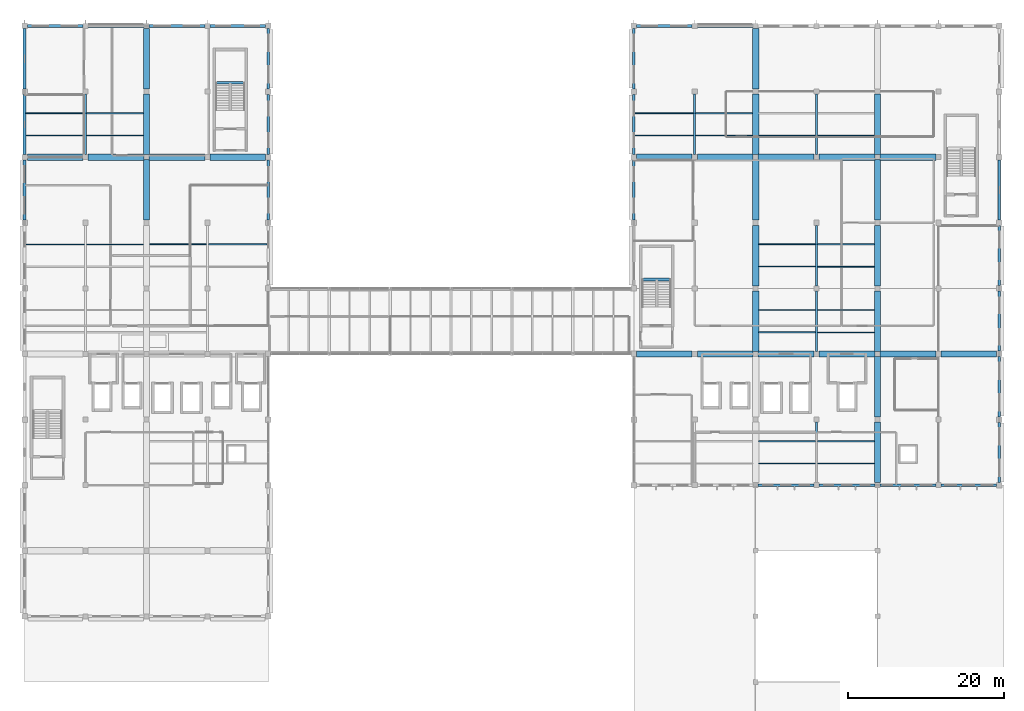
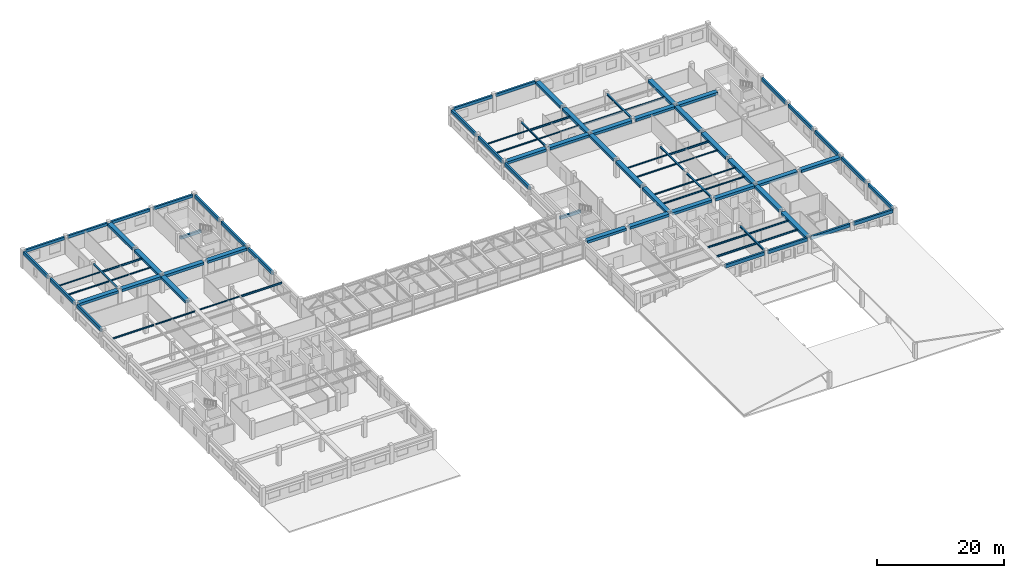
# One storey, part 27 of 49: 87 beams.
"""IFC4 building model written with IfcOpenShell, lengths in metres."""

from ifc_helpers import new_model, si_unit, direction, frame, origin, origin_2d, place, context, subcontext, project, spatial, rectangle, i_section, extrude, material, material_profile, profile_set, type_object, element, save


model = new_model("IFC4")

# Units and contexts
model_context = context("Model", 3, precision=1e-05, world=origin(), true_north=direction((0.0, 1.0)))
body_context = subcontext(model_context, "Body", "Model", "MODEL_VIEW")
ifc_project = project(units=[si_unit("LENGTHUNIT", "METRE"), si_unit("AREAUNIT", "SQUARE_METRE"), si_unit("VOLUMEUNIT", "CUBIC_METRE"), si_unit("PLANEANGLEUNIT", "RADIAN"), si_unit("MASSUNIT", "GRAM", prefix="KILO"), si_unit("THERMODYNAMICTEMPERATUREUNIT", "KELVIN"), si_unit("POWERUNIT", "WATT")], contexts=[model_context])

# Site, building, storey
site_placement = place(None, origin())
site = spatial("IfcSite", under=ifc_project, at=site_placement, CompositionType="ELEMENT")
building_placement = place(site_placement, origin())
building = spatial("IfcBuilding", under=site, at=building_placement, Name="Srebrne Nadtorze General Hospital", CompositionType="ELEMENT")
storey_placement = place(building_placement, frame((0.0, 0.0, 26.10009765625)))
storey = spatial("IfcBuildingStorey", under=building, at=storey_placement, Name="L06", CompositionType="ELEMENT", Elevation=26.10009765625)

# Beams
ifc_material_1 = material(Name="Steel S355J2", Category="steel")
ifc_material_profile_1 = material_profile(ifc_material_1, i_section(OverallWidth=0.159912109375, OverallDepth=0.330078125, WebThickness=0.007568359375, FlangeThickness=0.011474609375, FilletRadius=0.01806640625, at=origin_2d()), Name="IPE-330")
ifc_profile_set_1 = profile_set([ifc_material_profile_1], Name="Steel S355J2")
beam_type_1 = type_object("IfcBeamType", Name="Deck joist IPE 330", PredefinedType="JOIST", material=ifc_profile_set_1)
for number, where, z_axis, x_axis, name in (
    (1, (117.39501953125, 39.22802734375, 3.135009765625), (1.0, 0.0, 0.0), (0.0, 1.0, 0.0), "Interstitial deck joist SJ-L06-0137"),
    (2, (124.93505859375, 36.3720703125, 3.135009765625), (1.0, 0.0, 0.0), (0.0, 1.0, 0.0), "Interstitial deck joist SJ-L06-0144"),
    (3, (124.93505859375, 78.3720703125, 3.135009765625), (1.0, 0.0, 0.0), (0.0, 1.0, 0.0), "Interstitial deck joist SJ-L06-0150"),
):
    element("IfcBeam", number, at=place(storey_placement, frame(where, z_axis=z_axis, x_axis=x_axis)), inside=storey, type_object=beam_type_1, Name=name, PredefinedType="JOIST", context=body_context, shape_type="SweptSolid", body=[
        extrude(i_section(OverallWidth=0.159912109375, OverallDepth=0.330078125, WebThickness=0.007568359375, FlangeThickness=0.011474609375, FilletRadius=0.01806640625, at=origin_2d()), origin(), (0.0, 0.0, 1.0), 7.27001953125),
    ])
ifc_material_2 = material(Name="Steel S355J2", Category="steel")
ifc_material_profile_2 = material_profile(ifc_material_2, i_section(OverallWidth=0.169921875, OverallDepth=0.360107421875, WebThickness=0.008056640625, FlangeThickness=0.0126953125, FilletRadius=0.01806640625, at=origin_2d()), Name="IPE-360")
ifc_profile_set_2 = profile_set([ifc_material_profile_2], Name="Steel S355J2")
beam_type_2 = type_object("IfcBeamType", Name="Deck joist IPE 360", PredefinedType="JOIST", material=ifc_profile_set_2)
beam_1_placement = place(storey_placement, frame((31.324951171875, 81.22802734375, 3.119873046875), z_axis=(1.0, 0.0, 0.0), x_axis=(0.0, 1.0, 0.0)))
element("IfcBeam", 4, at=beam_1_placement, inside=storey, type_object=beam_type_2, Name="Interstitial deck joist SJ-L06-0117", PredefinedType="JOIST", context=body_context, shape_type="SweptSolid", body=[
    extrude(i_section(OverallWidth=0.169921875, OverallDepth=0.360107421875, WebThickness=0.008056640625, FlangeThickness=0.0126953125, FilletRadius=0.01806640625, at=origin_2d()), origin(), (0.0, 0.0, 1.0), 7.280029296875),
])
beam_2_placement = place(storey_placement, frame((46.925048828125, 64.427978515625, 3.119873046875), z_axis=(1.0, 0.0, 0.0), x_axis=(0.0, 1.0, 0.0)))
element("IfcBeam", 5, at=beam_2_placement, inside=storey, type_object=beam_type_2, Name="Interstitial deck joist SJ-L06-0127", PredefinedType="JOIST", context=body_context, shape_type="SweptSolid", body=[
    extrude(i_section(OverallWidth=0.169921875, OverallDepth=0.360107421875, WebThickness=0.008056640625, FlangeThickness=0.0126953125, FilletRadius=0.01806640625, at=origin_2d()), origin(), (0.0, 0.0, 1.0), 7.5048828125),
])
beam_3_placement = place(storey_placement, frame((109.324951171875, 81.22802734375, 3.119873046875), z_axis=(1.0, 0.0, 0.0), x_axis=(0.0, 1.0, 0.0)))
element("IfcBeam", 6, at=beam_3_placement, inside=storey, type_object=beam_type_2, Name="Interstitial deck joist SJ-L06-0135", PredefinedType="JOIST", context=body_context, shape_type="SweptSolid", body=[
    extrude(i_section(OverallWidth=0.169921875, OverallDepth=0.360107421875, WebThickness=0.008056640625, FlangeThickness=0.0126953125, FilletRadius=0.01806640625, at=origin_2d()), origin(), (0.0, 0.0, 1.0), 7.280029296875),
])
for number, where, z_axis, x_axis, name in (
    (7, (117.39501953125, 36.3720703125, 3.119873046875), (1.0, 0.0, 0.0), (0.0, 1.0, 0.0), "Interstitial deck joist SJ-L06-0136"),
    (8, (117.39501953125, 78.3720703125, 3.119873046875), (1.0, 0.0, 0.0), (0.0, 1.0, 0.0), "Interstitial deck joist SJ-L06-0142"),
):
    element("IfcBeam", number, at=place(storey_placement, frame(where, z_axis=z_axis, x_axis=x_axis)), inside=storey, type_object=beam_type_2, Name=name, PredefinedType="JOIST", context=body_context, shape_type="SweptSolid", body=[
        extrude(i_section(OverallWidth=0.169921875, OverallDepth=0.360107421875, WebThickness=0.008056640625, FlangeThickness=0.0126953125, FilletRadius=0.01806640625, at=origin_2d()), origin(), (0.0, 0.0, 1.0), 7.27001953125),
    ])
beam_4_placement = place(storey_placement, frame((124.925048828125, 64.427978515625, 3.119873046875), z_axis=(1.0, 0.0, 0.0), x_axis=(0.0, 1.0, 0.0)))
element("IfcBeam", 9, at=beam_4_placement, inside=storey, type_object=beam_type_2, Name="Interstitial deck joist SJ-L06-0149", PredefinedType="JOIST", context=body_context, shape_type="SweptSolid", body=[
    extrude(i_section(OverallWidth=0.169921875, OverallDepth=0.360107421875, WebThickness=0.008056640625, FlangeThickness=0.0126953125, FilletRadius=0.01806640625, at=origin_2d()), origin(), (0.0, 0.0, 1.0), 7.280029296875),
])
ifc_material_3 = material(Name="Concrete C35/45", Category="concrete")
ifc_material_profile_3 = material_profile(ifc_material_3, rectangle(XDim=0.35009765625, YDim=0.64990234375, at=origin_2d()), Name="RC-BM-350x650")
ifc_profile_set_3 = profile_set([ifc_material_profile_3], Name="Concrete C35/45")
beam_type_3 = type_object("IfcBeamType", Name="Edge beam RC 350x650", PredefinedType="BEAM", material=ifc_profile_set_3)
beam_5_placement = place(storey_placement, frame((117.324951171875, 33.60009765625, 2.974853515625), z_axis=(1.0, 0.0, 0.0), x_axis=(0.0, 1.0, 0.0)))
element("IfcBeam", 10, at=beam_5_placement, inside=storey, type_object=beam_type_3, Name="Beam BM-L06-X-1146", PredefinedType="BEAM", context=body_context, shape_type="SweptSolid", body=[
    extrude(rectangle(XDim=0.35009765625, YDim=0.64990234375, at=origin_2d()), origin(), (0.0, 0.0, 1.0), 7.150146484375),
])
for number, where, z_axis, x_axis, name in (
    (11, (125.125, 33.60009765625, 2.974853515625), (1.0, 0.0, 0.0), (0.0, 1.0, 0.0), "Beam BM-L06-X-1147"),
    (12, (132.925048828125, 33.60009765625, 2.974853515625), (1.0, 0.0, 0.0), (0.0, 1.0, 0.0), "Beam BM-L06-X-1148"),
):
    element("IfcBeam", number, at=place(storey_placement, frame(where, z_axis=z_axis, x_axis=x_axis)), inside=storey, type_object=beam_type_3, Name=name, PredefinedType="BEAM", context=body_context, shape_type="SweptSolid", body=[
        extrude(rectangle(XDim=0.35009765625, YDim=0.64990234375, at=origin_2d()), origin(), (0.0, 0.0, 1.0), 7.14990234375),
    ])
beam_6_placement = place(storey_placement, frame((140.72509765625, 33.60009765625, 2.974853515625), z_axis=(1.0, 0.0, 0.0), x_axis=(0.0, 1.0, 0.0)))
element("IfcBeam", 13, at=beam_6_placement, inside=storey, type_object=beam_type_3, Name="Beam BM-L06-X-1149", PredefinedType="BEAM", context=body_context, shape_type="SweptSolid", body=[
    extrude(rectangle(XDim=0.35009765625, YDim=0.64990234375, at=origin_2d()), origin(), (0.0, 0.0, 1.0), 7.125),
])
for number, where, z_axis, x_axis, name in (
    (14, (23.39990234375, 67.550048828125, 2.974853515625), (0.0, 1.0, 0.0), (-1.0, 0.0, 0.0), "Beam BM-L06-Y-1197"),
    (15, (23.39990234375, 75.949951171875, 2.974853515625), (0.0, 1.0, 0.0), (-1.0, 0.0, 0.0), "Beam BM-L06-Y-1198"),
    (16, (23.39990234375, 84.35009765625, 2.974853515625), (0.0, 1.0, 0.0), (-1.0, 0.0, 0.0), "Beam BM-L06-Y-1199"),
    (17, (54.60009765625, 67.550048828125, 2.974853515625), (0.0, 1.0, 0.0), (-1.0, 0.0, 0.0), "Beam BM-L06-Y-1214"),
    (18, (54.60009765625, 75.949951171875, 2.974853515625), (0.0, 1.0, 0.0), (-1.0, 0.0, 0.0), "Beam BM-L06-Y-1215"),
    (19, (54.60009765625, 84.35009765625, 2.974853515625), (0.0, 1.0, 0.0), (-1.0, 0.0, 0.0), "Beam BM-L06-Y-1216"),
    (20, (101.39990234375, 67.550048828125, 2.974853515625), (0.0, 1.0, 0.0), (-1.0, 0.0, 0.0), "Beam BM-L06-Y-1225"),
    (21, (101.39990234375, 75.949951171875, 2.974853515625), (0.0, 1.0, 0.0), (-1.0, 0.0, 0.0), "Beam BM-L06-Y-1226"),
    (22, (101.39990234375, 84.35009765625, 2.974853515625), (0.0, 1.0, 0.0), (-1.0, 0.0, 0.0), "Beam BM-L06-Y-1227"),
    (23, (148.199951171875, 33.949951171875, 2.974853515625), (0.0, 1.0, 0.0), (-1.0, 0.0, 0.0), "Beam BM-L06-Y-1242"),
    (24, (148.199951171875, 42.35009765625, 2.974853515625), (0.0, 1.0, 0.0), (-1.0, 0.0, 0.0), "Beam BM-L06-Y-1243"),
    (25, (148.199951171875, 50.75, 2.974853515625), (0.0, 1.0, 0.0), (-1.0, 0.0, 0.0), "Beam BM-L06-Y-1244"),
):
    element("IfcBeam", number, at=place(storey_placement, frame(where, z_axis=z_axis, x_axis=x_axis)), inside=storey, type_object=beam_type_3, Name=name, PredefinedType="BEAM", context=body_context, shape_type="SweptSolid", body=[
        extrude(rectangle(XDim=0.35009765625, YDim=0.64990234375, at=origin_2d()), origin(), (0.0, 0.0, 1.0), 7.699951171875),
    ])
beam_7_placement = place(storey_placement, frame((148.199951171875, 59.14990234375, 2.974853515625), z_axis=(0.0, 1.0, 0.0), x_axis=(-1.0, 0.0, 0.0)))
element("IfcBeam", 26, at=beam_7_placement, inside=storey, type_object=beam_type_3, Name="Beam BM-L06-Y-1245", PredefinedType="BEAM", context=body_context, shape_type="SweptSolid", body=[
    extrude(rectangle(XDim=0.35009765625, YDim=0.64990234375, at=origin_2d()), origin(), (0.0, 0.0, 1.0), 7.7001953125),
])
beam_8_placement = place(storey_placement, frame((148.199951171875, 67.550048828125, 2.974853515625), z_axis=(0.0, 1.0, 0.0), x_axis=(-1.0, 0.0, 0.0)))
element("IfcBeam", 27, at=beam_8_placement, inside=storey, type_object=beam_type_3, Name="Beam BM-L06-Y-1246", PredefinedType="BEAM", context=body_context, shape_type="SweptSolid", body=[
    extrude(rectangle(XDim=0.35009765625, YDim=0.64990234375, at=origin_2d()), origin(), (0.0, 0.0, 1.0), 7.699951171875),
])
ifc_material_4 = material(Name="Steel S355J2", Category="steel")
ifc_material_profile_4 = material_profile(ifc_material_4, i_section(OverallWidth=0.260009765625, OverallDepth=0.25, WebThickness=0.007568359375, FlangeThickness=0.012451171875, FilletRadius=0.02392578125, at=origin_2d()), Name="HEA-260")
ifc_profile_set_4 = profile_set([ifc_material_profile_4], Name="Steel S355J2")
beam_type_4 = type_object("IfcBeamType", Name="Primary beam HEA 260", PredefinedType="BEAM", material=ifc_profile_set_4)
for number, where, z_axis, x_axis, name in (
    (28, (31.199951171875, 75.925048828125, 3.1748046875), (0.0, 1.0, 0.0), (-1.0, 0.0, 0.0), "Interstitial steel beam SB-L06-0096"),
    (29, (109.199951171875, 75.925048828125, 3.1748046875), (0.0, 1.0, 0.0), (-1.0, 0.0, 0.0), "Interstitial steel beam SB-L06-0101"),
    (30, (124.800048828125, 59.125, 3.1748046875), (0.0, 1.0, 0.0), (-1.0, 0.0, 0.0), "Interstitial steel beam SB-L06-0104"),
):
    element("IfcBeam", number, at=place(storey_placement, frame(where, z_axis=z_axis, x_axis=x_axis)), inside=storey, type_object=beam_type_4, Name=name, PredefinedType="BEAM", context=body_context, shape_type="SweptSolid", body=[
        extrude(i_section(OverallWidth=0.260009765625, OverallDepth=0.25, WebThickness=0.007568359375, FlangeThickness=0.012451171875, FilletRadius=0.02392578125, at=origin_2d()), origin(), (0.0, 0.0, 1.0), 7.75),
    ])
ifc_material_5 = material(Name="Steel S355J2", Category="steel")
ifc_material_profile_5 = material_profile(ifc_material_5, i_section(OverallWidth=0.280029296875, OverallDepth=0.27001953125, WebThickness=0.008056640625, FlangeThickness=0.012939453125, FilletRadius=0.02392578125, at=origin_2d()), Name="HEA-280")
ifc_profile_set_5 = profile_set([ifc_material_profile_5], Name="Steel S355J2")
beam_type_5 = type_object("IfcBeamType", Name="Primary beam HEA 280", PredefinedType="BEAM", material=ifc_profile_set_5)
beam_9_placement = place(storey_placement, frame((124.800048828125, 50.72509765625, 3.164794921875), z_axis=(0.0, 1.0, 0.0), x_axis=(-1.0, 0.0, 0.0)))
element("IfcBeam", 31, at=beam_9_placement, inside=storey, type_object=beam_type_5, Name="Interstitial steel beam SB-L06-0103", PredefinedType="BEAM", context=body_context, shape_type="SweptSolid", body=[
    extrude(i_section(OverallWidth=0.280029296875, OverallDepth=0.27001953125, WebThickness=0.008056640625, FlangeThickness=0.012939453125, FilletRadius=0.02392578125, at=origin_2d()), origin(), (0.0, 0.0, 1.0), 7.75),
])
ifc_material_6 = material(Name="Steel S355J2", Category="steel")
ifc_material_profile_6 = material_profile(ifc_material_6, i_section(OverallWidth=0.280029296875, OverallDepth=0.280029296875, WebThickness=0.010498046875, FlangeThickness=0.01806640625, FilletRadius=0.02392578125, at=origin_2d()), Name="HEB-280")
ifc_profile_set_6 = profile_set([ifc_material_profile_6], Name="Steel S355J2")
beam_type_6 = type_object("IfcBeamType", Name="Primary beam HEB 280", PredefinedType="BEAM", material=ifc_profile_set_6)
for number, where, z_axis, x_axis, name in (
    (32, (124.800048828125, 33.925048828125, 3.159912109375), (0.0, 1.0, 0.0), (-1.0, 0.0, 0.0), "Interstitial steel beam SB-L06-0102"),
    (33, (124.800048828125, 75.925048828125, 3.159912109375), (0.0, 1.0, 0.0), (-1.0, 0.0, 0.0), "Interstitial steel beam SB-L06-0105"),
):
    element("IfcBeam", number, at=place(storey_placement, frame(where, z_axis=z_axis, x_axis=x_axis)), inside=storey, type_object=beam_type_6, Name=name, PredefinedType="BEAM", context=body_context, shape_type="SweptSolid", body=[
        extrude(i_section(OverallWidth=0.280029296875, OverallDepth=0.280029296875, WebThickness=0.010498046875, FlangeThickness=0.01806640625, FilletRadius=0.02392578125, at=origin_2d()), origin(), (0.0, 0.0, 1.0), 7.75),
    ])
ifc_material_7 = material(Name="Concrete C40/50", Category="concrete")
ifc_material_profile_7 = material_profile(ifc_material_7, rectangle(XDim=0.800048828125, YDim=0.5, at=origin_2d()), Name="RC-BM-800x500")
ifc_profile_set_7 = profile_set([ifc_material_profile_7], Name="Concrete C40/50")
beam_type_7 = type_object("IfcBeamType", Name="Primary beam RC 800x500", PredefinedType="BEAM", material=ifc_profile_set_7)
beam_10_placement = place(storey_placement, frame((101.75, 50.39990234375, 3.0498046875), z_axis=(1.0, 0.0, 0.0), x_axis=(0.0, 1.0, 0.0)))
element("IfcBeam", 34, at=beam_10_placement, inside=storey, type_object=beam_type_7, Name="Beam BM-L06-X-1160", PredefinedType="BEAM", context=body_context, shape_type="SweptSolid", body=[
    extrude(rectangle(XDim=0.800048828125, YDim=0.5, at=origin_2d()), origin(), (0.0, 0.0, 1.0), 7.125),
])
for number, where, z_axis, x_axis, name in (
    (35, (109.52490234375, 50.39990234375, 3.0498046875), (1.0, 0.0, 0.0), (0.0, 1.0, 0.0), "Beam BM-L06-X-1161"),
    (36, (117.324951171875, 50.39990234375, 3.0498046875), (1.0, 0.0, 0.0), (0.0, 1.0, 0.0), "Beam BM-L06-X-1162"),
):
    element("IfcBeam", number, at=place(storey_placement, frame(where, z_axis=z_axis, x_axis=x_axis)), inside=storey, type_object=beam_type_7, Name=name, PredefinedType="BEAM", context=body_context, shape_type="SweptSolid", body=[
        extrude(rectangle(XDim=0.800048828125, YDim=0.5, at=origin_2d()), origin(), (0.0, 0.0, 1.0), 7.150146484375),
    ])
for number, where, z_axis, x_axis, name in (
    (37, (125.125, 50.39990234375, 3.0498046875), (1.0, 0.0, 0.0), (0.0, 1.0, 0.0), "Beam BM-L06-X-1163"),
    (38, (132.925048828125, 50.39990234375, 3.0498046875), (1.0, 0.0, 0.0), (0.0, 1.0, 0.0), "Beam BM-L06-X-1164"),
):
    element("IfcBeam", number, at=place(storey_placement, frame(where, z_axis=z_axis, x_axis=x_axis)), inside=storey, type_object=beam_type_7, Name=name, PredefinedType="BEAM", context=body_context, shape_type="SweptSolid", body=[
        extrude(rectangle(XDim=0.800048828125, YDim=0.5, at=origin_2d()), origin(), (0.0, 0.0, 1.0), 7.14990234375),
    ])
for number, where, z_axis, x_axis, name in (
    (39, (140.72509765625, 50.39990234375, 3.0498046875), (1.0, 0.0, 0.0), (0.0, 1.0, 0.0), "Beam BM-L06-X-1165"),
    (40, (23.75, 75.60009765625, 3.0498046875), (1.0, 0.0, 0.0), (0.0, 1.0, 0.0), "Beam BM-L06-X-1172"),
):
    element("IfcBeam", number, at=place(storey_placement, frame(where, z_axis=z_axis, x_axis=x_axis)), inside=storey, type_object=beam_type_7, Name=name, PredefinedType="BEAM", context=body_context, shape_type="SweptSolid", body=[
        extrude(rectangle(XDim=0.800048828125, YDim=0.5, at=origin_2d()), origin(), (0.0, 0.0, 1.0), 7.125),
    ])
for number, where, z_axis, x_axis, name in (
    (41, (31.52490234375, 75.60009765625, 3.0498046875), (1.0, 0.0, 0.0), (0.0, 1.0, 0.0), "Beam BM-L06-X-1173"),
    (42, (39.324951171875, 75.60009765625, 3.0498046875), (1.0, 0.0, 0.0), (0.0, 1.0, 0.0), "Beam BM-L06-X-1174"),
):
    element("IfcBeam", number, at=place(storey_placement, frame(where, z_axis=z_axis, x_axis=x_axis)), inside=storey, type_object=beam_type_7, Name=name, PredefinedType="BEAM", context=body_context, shape_type="SweptSolid", body=[
        extrude(rectangle(XDim=0.800048828125, YDim=0.5, at=origin_2d()), origin(), (0.0, 0.0, 1.0), 7.150146484375),
    ])
for number, where, z_axis, x_axis, name in (
    (43, (47.125, 75.60009765625, 3.0498046875), (1.0, 0.0, 0.0), (0.0, 1.0, 0.0), "Beam BM-L06-X-1175"),
    (44, (101.75, 75.60009765625, 3.0498046875), (1.0, 0.0, 0.0), (0.0, 1.0, 0.0), "Beam BM-L06-X-1176"),
):
    element("IfcBeam", number, at=place(storey_placement, frame(where, z_axis=z_axis, x_axis=x_axis)), inside=storey, type_object=beam_type_7, Name=name, PredefinedType="BEAM", context=body_context, shape_type="SweptSolid", body=[
        extrude(rectangle(XDim=0.800048828125, YDim=0.5, at=origin_2d()), origin(), (0.0, 0.0, 1.0), 7.125),
    ])
for number, where, z_axis, x_axis, name in (
    (45, (109.52490234375, 75.60009765625, 3.0498046875), (1.0, 0.0, 0.0), (0.0, 1.0, 0.0), "Beam BM-L06-X-1177"),
    (46, (117.324951171875, 75.60009765625, 3.0498046875), (1.0, 0.0, 0.0), (0.0, 1.0, 0.0), "Beam BM-L06-X-1178"),
):
    element("IfcBeam", number, at=place(storey_placement, frame(where, z_axis=z_axis, x_axis=x_axis)), inside=storey, type_object=beam_type_7, Name=name, PredefinedType="BEAM", context=body_context, shape_type="SweptSolid", body=[
        extrude(rectangle(XDim=0.800048828125, YDim=0.5, at=origin_2d()), origin(), (0.0, 0.0, 1.0), 7.150146484375),
    ])
for number, where, z_axis, x_axis, name in (
    (47, (125.125, 75.60009765625, 3.0498046875), (1.0, 0.0, 0.0), (0.0, 1.0, 0.0), "Beam BM-L06-X-1179"),
    (48, (132.925048828125, 75.60009765625, 3.0498046875), (1.0, 0.0, 0.0), (0.0, 1.0, 0.0), "Beam BM-L06-X-1180"),
):
    element("IfcBeam", number, at=place(storey_placement, frame(where, z_axis=z_axis, x_axis=x_axis)), inside=storey, type_object=beam_type_7, Name=name, PredefinedType="BEAM", context=body_context, shape_type="SweptSolid", body=[
        extrude(rectangle(XDim=0.800048828125, YDim=0.5, at=origin_2d()), origin(), (0.0, 0.0, 1.0), 7.14990234375),
    ])
for number, where, z_axis, x_axis, name in (
    (49, (39.0, 67.52490234375, 3.0498046875), (0.0, 1.0, 0.0), (-1.0, 0.0, 0.0), "Beam BM-L06-Y-1206"),
    (50, (39.0, 75.925048828125, 3.0498046875), (0.0, 1.0, 0.0), (-1.0, 0.0, 0.0), "Beam BM-L06-Y-1207"),
    (51, (39.0, 84.324951171875, 3.0498046875), (0.0, 1.0, 0.0), (-1.0, 0.0, 0.0), "Beam BM-L06-Y-1208"),
    (52, (117.0, 50.72509765625, 3.0498046875), (0.0, 1.0, 0.0), (-1.0, 0.0, 0.0), "Beam BM-L06-Y-1230"),
    (53, (117.0, 59.125, 3.0498046875), (0.0, 1.0, 0.0), (-1.0, 0.0, 0.0), "Beam BM-L06-Y-1231"),
    (54, (117.0, 67.52490234375, 3.0498046875), (0.0, 1.0, 0.0), (-1.0, 0.0, 0.0), "Beam BM-L06-Y-1232"),
    (55, (117.0, 75.925048828125, 3.0498046875), (0.0, 1.0, 0.0), (-1.0, 0.0, 0.0), "Beam BM-L06-Y-1233"),
    (56, (117.0, 84.324951171875, 3.0498046875), (0.0, 1.0, 0.0), (-1.0, 0.0, 0.0), "Beam BM-L06-Y-1234"),
    (57, (132.60009765625, 33.925048828125, 3.0498046875), (0.0, 1.0, 0.0), (-1.0, 0.0, 0.0), "Beam BM-L06-Y-1235"),
    (58, (132.60009765625, 42.324951171875, 3.0498046875), (0.0, 1.0, 0.0), (-1.0, 0.0, 0.0), "Beam BM-L06-Y-1236"),
    (59, (132.60009765625, 50.72509765625, 3.0498046875), (0.0, 1.0, 0.0), (-1.0, 0.0, 0.0), "Beam BM-L06-Y-1237"),
    (60, (132.60009765625, 59.125, 3.0498046875), (0.0, 1.0, 0.0), (-1.0, 0.0, 0.0), "Beam BM-L06-Y-1238"),
    (61, (132.60009765625, 67.52490234375, 3.0498046875), (0.0, 1.0, 0.0), (-1.0, 0.0, 0.0), "Beam BM-L06-Y-1239"),
    (62, (132.60009765625, 75.925048828125, 3.0498046875), (0.0, 1.0, 0.0), (-1.0, 0.0, 0.0), "Beam BM-L06-Y-1240"),
):
    element("IfcBeam", number, at=place(storey_placement, frame(where, z_axis=z_axis, x_axis=x_axis)), inside=storey, type_object=beam_type_7, Name=name, PredefinedType="BEAM", context=body_context, shape_type="SweptSolid", body=[
        extrude(rectangle(XDim=0.800048828125, YDim=0.5, at=origin_2d()), origin(), (0.0, 0.0, 1.0), 7.75),
    ])
ifc_material_8 = material(Name="Steel S355J2", Category="steel")
ifc_material_profile_8 = material_profile(ifc_material_8, i_section(OverallWidth=0.1201171875, OverallDepth=0.239990234375, WebThickness=0.006103515625, FlangeThickness=0.009765625, FilletRadius=0.014892578125, at=origin_2d()), Name="IPE-240")
ifc_profile_set_8 = profile_set([ifc_material_profile_8], Name="Steel S355J2")
beam_type_8 = type_object("IfcBeamType", Name="Secondary joist IPE 240", PredefinedType="JOIST", material=ifc_profile_set_8)
beam_11_placement = place(storey_placement, frame((23.570068359375, 81.22802734375, 3.179931640625), z_axis=(1.0, 0.0, 0.0), x_axis=(0.0, 1.0, 0.0)))
element("IfcBeam", 63, at=beam_11_placement, inside=storey, type_object=beam_type_8, Name="Interstitial deck joist SJ-L06-0111", PredefinedType="JOIST", context=body_context, shape_type="SweptSolid", body=[
    extrude(i_section(OverallWidth=0.1201171875, OverallDepth=0.239990234375, WebThickness=0.006103515625, FlangeThickness=0.009765625, FilletRadius=0.014892578125, at=origin_2d()), origin(), (0.0, 0.0, 1.0), 7.5048828125),
])
for number, where, z_axis, x_axis, name in (
    (64, (31.324951171875, 78.3720703125, 3.179931640625), (1.0, 0.0, 0.0), (0.0, 1.0, 0.0), "Interstitial deck joist SJ-L06-0116"),
    (65, (39.39501953125, 64.427978515625, 3.179931640625), (1.0, 0.0, 0.0), (0.0, 1.0, 0.0), "Interstitial deck joist SJ-L06-0123"),
):
    element("IfcBeam", number, at=place(storey_placement, frame(where, z_axis=z_axis, x_axis=x_axis)), inside=storey, type_object=beam_type_8, Name=name, PredefinedType="JOIST", context=body_context, shape_type="SweptSolid", body=[
        extrude(i_section(OverallWidth=0.1201171875, OverallDepth=0.239990234375, WebThickness=0.006103515625, FlangeThickness=0.009765625, FilletRadius=0.014892578125, at=origin_2d()), origin(), (0.0, 0.0, 1.0), 7.280029296875),
    ])
beam_12_placement = place(storey_placement, frame((101.570068359375, 81.22802734375, 3.179931640625), z_axis=(1.0, 0.0, 0.0), x_axis=(0.0, 1.0, 0.0)))
element("IfcBeam", 66, at=beam_12_placement, inside=storey, type_object=beam_type_8, Name="Interstitial deck joist SJ-L06-0131", PredefinedType="JOIST", context=body_context, shape_type="SweptSolid", body=[
    extrude(i_section(OverallWidth=0.1201171875, OverallDepth=0.239990234375, WebThickness=0.006103515625, FlangeThickness=0.009765625, FilletRadius=0.014892578125, at=origin_2d()), origin(), (0.0, 0.0, 1.0), 7.5048828125),
])
for number, where, z_axis, x_axis, name in (
    (67, (109.324951171875, 78.3720703125, 3.179931640625), (1.0, 0.0, 0.0), (0.0, 1.0, 0.0), "Interstitial deck joist SJ-L06-0134"),
    (68, (117.39501953125, 64.427978515625, 3.179931640625), (1.0, 0.0, 0.0), (0.0, 1.0, 0.0), "Interstitial deck joist SJ-L06-0141"),
):
    element("IfcBeam", number, at=place(storey_placement, frame(where, z_axis=z_axis, x_axis=x_axis)), inside=storey, type_object=beam_type_8, Name=name, PredefinedType="JOIST", context=body_context, shape_type="SweptSolid", body=[
        extrude(i_section(OverallWidth=0.1201171875, OverallDepth=0.239990234375, WebThickness=0.006103515625, FlangeThickness=0.009765625, FilletRadius=0.014892578125, at=origin_2d()), origin(), (0.0, 0.0, 1.0), 7.280029296875),
    ])
beam_13_placement = place(storey_placement, frame((124.93505859375, 56.028076171875, 3.179931640625), z_axis=(1.0, 0.0, 0.0), x_axis=(0.0, 1.0, 0.0)))
element("IfcBeam", 69, at=beam_13_placement, inside=storey, type_object=beam_type_8, Name="Interstitial deck joist SJ-L06-0147", PredefinedType="JOIST", context=body_context, shape_type="SweptSolid", body=[
    extrude(i_section(OverallWidth=0.1201171875, OverallDepth=0.239990234375, WebThickness=0.006103515625, FlangeThickness=0.009765625, FilletRadius=0.014892578125, at=origin_2d()), origin(), (0.0, 0.0, 1.0), 7.27001953125),
])
beam_14_placement = place(storey_placement, frame((124.925048828125, 61.572021484375, 3.179931640625), z_axis=(1.0, 0.0, 0.0), x_axis=(0.0, 1.0, 0.0)))
element("IfcBeam", 70, at=beam_14_placement, inside=storey, type_object=beam_type_8, Name="Interstitial deck joist SJ-L06-0148", PredefinedType="JOIST", context=body_context, shape_type="SweptSolid", body=[
    extrude(i_section(OverallWidth=0.1201171875, OverallDepth=0.239990234375, WebThickness=0.006103515625, FlangeThickness=0.009765625, FilletRadius=0.014892578125, at=origin_2d()), origin(), (0.0, 0.0, 1.0), 7.280029296875),
])
ifc_material_9 = material(Name="Steel S355J2", Category="steel")
ifc_material_profile_9 = material_profile(ifc_material_9, i_section(OverallWidth=0.135009765625, OverallDepth=0.27001953125, WebThickness=0.006591796875, FlangeThickness=0.01025390625, FilletRadius=0.014892578125, at=origin_2d()), Name="IPE-270")
ifc_profile_set_9 = profile_set([ifc_material_profile_9], Name="Steel S355J2")
beam_type_9 = type_object("IfcBeamType", Name="Secondary joist IPE 270", PredefinedType="JOIST", material=ifc_profile_set_9)
beam_15_placement = place(storey_placement, frame((23.570068359375, 78.3720703125, 3.164794921875), z_axis=(1.0, 0.0, 0.0), x_axis=(0.0, 1.0, 0.0)))
element("IfcBeam", 71, at=beam_15_placement, inside=storey, type_object=beam_type_9, Name="Interstitial deck joist SJ-L06-0110", PredefinedType="JOIST", context=body_context, shape_type="SweptSolid", body=[
    extrude(i_section(OverallWidth=0.135009765625, OverallDepth=0.27001953125, WebThickness=0.006591796875, FlangeThickness=0.01025390625, FilletRadius=0.014892578125, at=origin_2d()), origin(), (0.0, 0.0, 1.0), 7.5048828125),
])
beam_16_placement = place(storey_placement, frame((31.31494140625, 64.427978515625, 3.164794921875), z_axis=(1.0, 0.0, 0.0), x_axis=(0.0, 1.0, 0.0)))
element("IfcBeam", 72, at=beam_16_placement, inside=storey, type_object=beam_type_9, Name="Interstitial deck joist SJ-L06-0115", PredefinedType="JOIST", context=body_context, shape_type="SweptSolid", body=[
    extrude(i_section(OverallWidth=0.135009765625, OverallDepth=0.27001953125, WebThickness=0.006591796875, FlangeThickness=0.01025390625, FilletRadius=0.014892578125, at=origin_2d()), origin(), (0.0, 0.0, 1.0), 7.2900390625),
])
beam_17_placement = place(storey_placement, frame((101.570068359375, 78.3720703125, 3.164794921875), z_axis=(1.0, 0.0, 0.0), x_axis=(0.0, 1.0, 0.0)))
element("IfcBeam", 73, at=beam_17_placement, inside=storey, type_object=beam_type_9, Name="Interstitial deck joist SJ-L06-0130", PredefinedType="JOIST", context=body_context, shape_type="SweptSolid", body=[
    extrude(i_section(OverallWidth=0.135009765625, OverallDepth=0.27001953125, WebThickness=0.006591796875, FlangeThickness=0.01025390625, FilletRadius=0.014892578125, at=origin_2d()), origin(), (0.0, 0.0, 1.0), 7.5048828125),
])
beam_18_placement = place(storey_placement, frame((117.39501953125, 56.028076171875, 3.164794921875), z_axis=(1.0, 0.0, 0.0), x_axis=(0.0, 1.0, 0.0)))
element("IfcBeam", 74, at=beam_18_placement, inside=storey, type_object=beam_type_9, Name="Interstitial deck joist SJ-L06-0139", PredefinedType="JOIST", context=body_context, shape_type="SweptSolid", body=[
    extrude(i_section(OverallWidth=0.135009765625, OverallDepth=0.27001953125, WebThickness=0.006591796875, FlangeThickness=0.01025390625, FilletRadius=0.014892578125, at=origin_2d()), origin(), (0.0, 0.0, 1.0), 7.27001953125),
])
beam_19_placement = place(storey_placement, frame((117.39501953125, 61.572021484375, 3.164794921875), z_axis=(1.0, 0.0, 0.0), x_axis=(0.0, 1.0, 0.0)))
element("IfcBeam", 75, at=beam_19_placement, inside=storey, type_object=beam_type_9, Name="Interstitial deck joist SJ-L06-0140", PredefinedType="JOIST", context=body_context, shape_type="SweptSolid", body=[
    extrude(i_section(OverallWidth=0.135009765625, OverallDepth=0.27001953125, WebThickness=0.006591796875, FlangeThickness=0.01025390625, FilletRadius=0.014892578125, at=origin_2d()), origin(), (0.0, 0.0, 1.0), 7.280029296875),
])
beam_20_placement = place(storey_placement, frame((124.93505859375, 53.172119140625, 3.164794921875), z_axis=(1.0, 0.0, 0.0), x_axis=(0.0, 1.0, 0.0)))
element("IfcBeam", 76, at=beam_20_placement, inside=storey, type_object=beam_type_9, Name="Interstitial deck joist SJ-L06-0146", PredefinedType="JOIST", context=body_context, shape_type="SweptSolid", body=[
    extrude(i_section(OverallWidth=0.135009765625, OverallDepth=0.27001953125, WebThickness=0.006591796875, FlangeThickness=0.01025390625, FilletRadius=0.014892578125, at=origin_2d()), origin(), (0.0, 0.0, 1.0), 7.27001953125),
])
ifc_material_10 = material(Name="Steel S355J2", Category="steel")
ifc_material_profile_10 = material_profile(ifc_material_10, i_section(OverallWidth=0.14990234375, OverallDepth=0.300048828125, WebThickness=0.007080078125, FlangeThickness=0.0107421875, FilletRadius=0.014892578125, at=origin_2d()), Name="IPE-300")
ifc_profile_set_10 = profile_set([ifc_material_profile_10], Name="Steel S355J2")
beam_type_10 = type_object("IfcBeamType", Name="Secondary joist IPE 300", PredefinedType="JOIST", material=ifc_profile_set_10)
beam_21_placement = place(storey_placement, frame((23.570068359375, 64.427978515625, 3.14990234375), z_axis=(1.0, 0.0, 0.0), x_axis=(0.0, 1.0, 0.0)))
element("IfcBeam", 77, at=beam_21_placement, inside=storey, type_object=beam_type_10, Name="Interstitial deck joist SJ-L06-0109", PredefinedType="JOIST", context=body_context, shape_type="SweptSolid", body=[
    extrude(i_section(OverallWidth=0.14990234375, OverallDepth=0.300048828125, WebThickness=0.007080078125, FlangeThickness=0.0107421875, FilletRadius=0.014892578125, at=origin_2d()), origin(), (0.0, 0.0, 1.0), 7.514892578125),
])
for number, where, z_axis, x_axis, name in (
    (78, (117.39501953125, 53.172119140625, 3.14990234375), (1.0, 0.0, 0.0), (0.0, 1.0, 0.0), "Interstitial deck joist SJ-L06-0138"),
    (79, (124.93505859375, 39.22802734375, 3.14990234375), (1.0, 0.0, 0.0), (0.0, 1.0, 0.0), "Interstitial deck joist SJ-L06-0145"),
):
    element("IfcBeam", number, at=place(storey_placement, frame(where, z_axis=z_axis, x_axis=x_axis)), inside=storey, type_object=beam_type_10, Name=name, PredefinedType="JOIST", context=body_context, shape_type="SweptSolid", body=[
        extrude(i_section(OverallWidth=0.14990234375, OverallDepth=0.300048828125, WebThickness=0.007080078125, FlangeThickness=0.0107421875, FilletRadius=0.014892578125, at=origin_2d()), origin(), (0.0, 0.0, 1.0), 7.27001953125),
    ])
ifc_material_11 = material(Name="Concrete C35/45", Category="concrete")
ifc_material_profile_11 = material_profile(ifc_material_11, rectangle(XDim=0.35009765625, YDim=0.550048828125, at=origin_2d()), Name="RC-BM-350x550")
ifc_profile_set_11 = profile_set([ifc_material_profile_11], Name="Concrete C35/45")
beam_type_11 = type_object("IfcBeamType", Name="Spandrel lintel beam RC 350x550", PredefinedType="LINTEL", material=ifc_profile_set_11)
beam_22_placement = place(storey_placement, frame((23.75, 92.39990234375, 3.02490234375), z_axis=(1.0, 0.0, 0.0), x_axis=(0.0, 1.0, 0.0)))
element("IfcBeam", 80, at=beam_22_placement, inside=storey, type_object=beam_type_11, Name="Beam BM-L06-X-1181", PredefinedType="LINTEL", context=body_context, shape_type="SweptSolid", body=[
    extrude(rectangle(XDim=0.35009765625, YDim=0.550048828125, at=origin_2d()), origin(), (0.0, 0.0, 1.0), 7.125),
])
for number, where, z_axis, x_axis, name in (
    (81, (31.52490234375, 92.39990234375, 3.02490234375), (1.0, 0.0, 0.0), (0.0, 1.0, 0.0), "Beam BM-L06-X-1182"),
    (82, (39.324951171875, 92.39990234375, 3.02490234375), (1.0, 0.0, 0.0), (0.0, 1.0, 0.0), "Beam BM-L06-X-1183"),
):
    element("IfcBeam", number, at=place(storey_placement, frame(where, z_axis=z_axis, x_axis=x_axis)), inside=storey, type_object=beam_type_11, Name=name, PredefinedType="LINTEL", context=body_context, shape_type="SweptSolid", body=[
        extrude(rectangle(XDim=0.35009765625, YDim=0.550048828125, at=origin_2d()), origin(), (0.0, 0.0, 1.0), 7.150146484375),
    ])
for number, where, z_axis, x_axis, name in (
    (83, (47.125, 92.39990234375, 3.02490234375), (1.0, 0.0, 0.0), (0.0, 1.0, 0.0), "Beam BM-L06-X-1184"),
    (84, (101.75, 92.39990234375, 3.02490234375), (1.0, 0.0, 0.0), (0.0, 1.0, 0.0), "Beam BM-L06-X-1185"),
):
    element("IfcBeam", number, at=place(storey_placement, frame(where, z_axis=z_axis, x_axis=x_axis)), inside=storey, type_object=beam_type_11, Name=name, PredefinedType="LINTEL", context=body_context, shape_type="SweptSolid", body=[
        extrude(rectangle(XDim=0.35009765625, YDim=0.550048828125, at=origin_2d()), origin(), (0.0, 0.0, 1.0), 7.125),
    ])
beam_23_placement = place(storey_placement, frame((109.52490234375, 92.39990234375, 3.02490234375), z_axis=(1.0, 0.0, 0.0), x_axis=(0.0, 1.0, 0.0)))
element("IfcBeam", 85, at=beam_23_placement, inside=storey, type_object=beam_type_11, Name="Beam BM-L06-X-1186", PredefinedType="LINTEL", context=body_context, shape_type="SweptSolid", body=[
    extrude(rectangle(XDim=0.35009765625, YDim=0.550048828125, at=origin_2d()), origin(), (0.0, 0.0, 1.0), 7.150146484375),
])
for number, where, z_axis, x_axis, name in (
    (86, (47.85009765625, 85.1201171875, 1.52490234375), (1.0, 0.0, 0.0), (0.0, 1.0, 0.0), "Stair landing header beam ST-02 L06"),
    (87, (102.449951171875, 59.919921875, 1.52490234375), (1.0, 0.0, 0.0), (0.0, 1.0, 0.0), "Stair landing header beam ST-03 L06"),
):
    element("IfcBeam", number, at=place(storey_placement, frame(where, z_axis=z_axis, x_axis=x_axis)), inside=storey, type_object=beam_type_11, Name=name, PredefinedType="LINTEL", context=body_context, shape_type="SweptSolid", body=[
        extrude(rectangle(XDim=0.35009765625, YDim=0.550048828125, at=origin_2d()), origin(), (0.0, 0.0, 1.0), 3.75),
    ])

save(model, "model.ifc")
